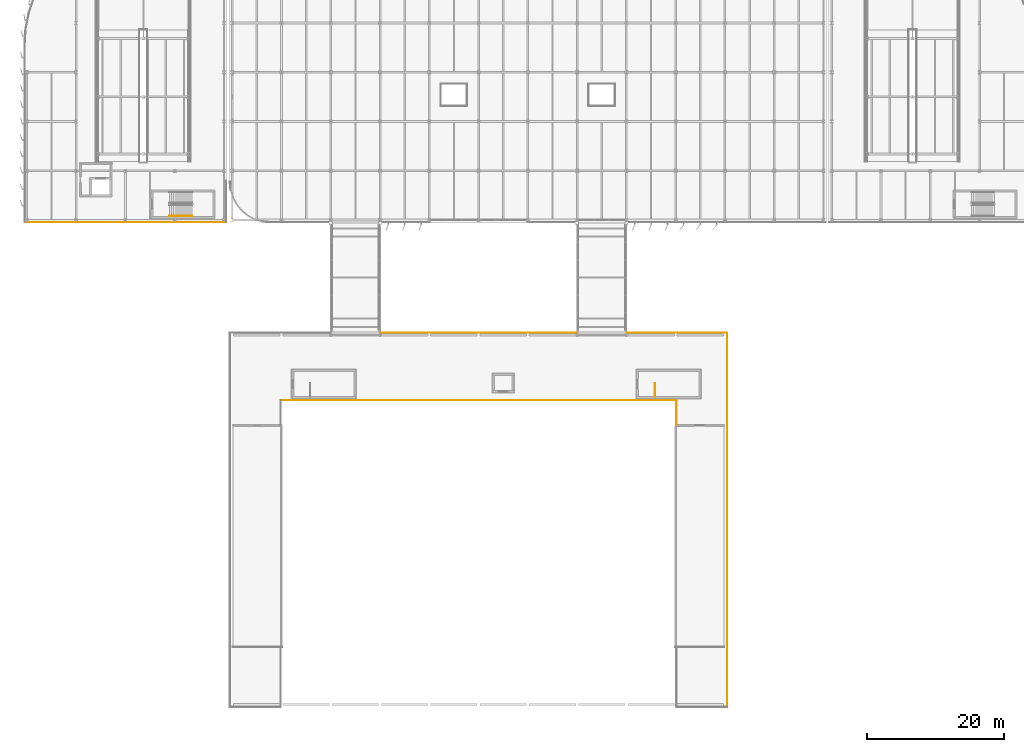
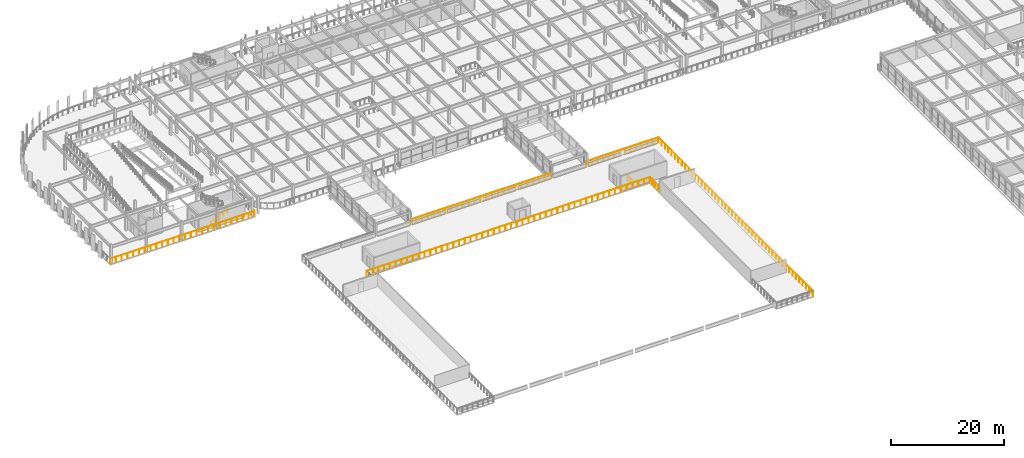
# One storey, part 77 of 93: 8 railings.
"""IFC4 building model written with IfcOpenShell, lengths in metres."""

from ifc_helpers import new_model, si_unit, direction, frame, origin, origin_2d, place, context, subcontext, project, spatial, circle, extrude, material, layer, layer_set, type_object, element, save


model = new_model("IFC4")

# Units and contexts
model_context = context("Model", 3, precision=1e-05, world=origin(), true_north=direction((0.0, 1.0)))
body_context = subcontext(model_context, "Body", "Model", "MODEL_VIEW")
ifc_project = project(units=[si_unit("LENGTHUNIT", "METRE"), si_unit("AREAUNIT", "SQUARE_METRE"), si_unit("VOLUMEUNIT", "CUBIC_METRE"), si_unit("PLANEANGLEUNIT", "RADIAN"), si_unit("MASSUNIT", "GRAM", prefix="KILO")], contexts=[model_context])

# Site, building, storey
site_placement = place(None, origin())
site = spatial("IfcSite", under=ifc_project, at=site_placement, CompositionType="ELEMENT")
building_placement = place(site_placement, origin())
building = spatial("IfcBuilding", under=site, at=building_placement, Name="Vaelcorin Mobility Hub", CompositionType="ELEMENT")
storey_placement = place(building_placement, frame((0.0, 0.0, 5.39990234375)))
storey = spatial("IfcBuildingStorey", under=building, at=storey_placement, Name="L01", CompositionType="ELEMENT", Elevation=5.39990234375)

# Railings
ifc_material_1 = material(Name="Galvanised structural steel ASTM A36", Category="steel")
ifc_layer_1 = layer(ifc_material_1, 0.070068359375)
ifc_layer_set_1 = layer_set([ifc_layer_1], Name="Galvanised structural steel ASTM A36")
railing_type_1 = type_object("IfcRailingType", Name="RL-GUARD-1100", PredefinedType="BALUSTRADE", material=ifc_layer_set_1)
railing_1_placement = place(storey_placement, frame((35.1298828125, 76.469970703125, 0.0)))
element("IfcRailing", 1, at=railing_1_placement, inside=storey, type_object=railing_type_1, Name="L01 Perimeter Guard GR-V2W-L01-02", PredefinedType="BALUSTRADE", context=body_context, shape_type="SweptSolid", body=[
    extrude(circle(Radius=0.02392578125, at=origin_2d()), frame((0.0, 0.0, 1.076171875), z_axis=(-1.0, 0.0, 0.0), x_axis=(0.0, -1.0, 0.0)), (0.0, 0.0, 1.0), 29.4599609375),
    extrude(circle(Radius=0.02099609375, at=origin_2d()), origin(), (0.0, 0.0, 1.0), 1.052001953125),
    extrude(circle(Radius=0.02099609375, at=origin_2d()), frame((-1.178466796875, 0.0, 0.0)), (0.0, 0.0, 1.0), 1.052001953125),
    extrude(circle(Radius=0.02099609375, at=origin_2d()), frame((-2.356689453125, 0.0, 0.0)), (0.0, 0.0, 1.0), 1.052001953125),
    extrude(circle(Radius=0.02099609375, at=origin_2d()), frame((-3.53515625, 0.0, 0.0)), (0.0, 0.0, 1.0), 1.052001953125),
    extrude(circle(Radius=0.02099609375, at=origin_2d()), frame((-4.713623046875, 0.0, 0.0)), (0.0, 0.0, 1.0), 1.052001953125),
    extrude(circle(Radius=0.02099609375, at=origin_2d()), frame((-5.89208984375, 0.0, 0.0)), (0.0, 0.0, 1.0), 1.052001953125),
    extrude(circle(Radius=0.02099609375, at=origin_2d()), frame((-7.0703125, 0.0, 0.0)), (0.0, 0.0, 1.0), 1.052001953125),
    extrude(circle(Radius=0.02099609375, at=origin_2d()), frame((-8.248779296875, 0.0, 0.0)), (0.0, 0.0, 1.0), 1.052001953125),
    extrude(circle(Radius=0.02099609375, at=origin_2d()), frame((-9.42724609375, 0.0, 0.0)), (0.0, 0.0, 1.0), 1.052001953125),
    extrude(circle(Radius=0.02099609375, at=origin_2d()), frame((-10.60546875, 0.0, 0.0)), (0.0, 0.0, 1.0), 1.052001953125),
    extrude(circle(Radius=0.02099609375, at=origin_2d()), frame((-11.783935546875, 0.0, 0.0)), (0.0, 0.0, 1.0), 1.052001953125),
    extrude(circle(Radius=0.02099609375, at=origin_2d()), frame((-12.96240234375, 0.0, 0.0)), (0.0, 0.0, 1.0), 1.052001953125),
    extrude(circle(Radius=0.02099609375, at=origin_2d()), frame((-14.140869140625, 0.0, 0.0)), (0.0, 0.0, 1.0), 1.052001953125),
    extrude(circle(Radius=0.02099609375, at=origin_2d()), frame((-15.319091796875, 0.0, 0.0)), (0.0, 0.0, 1.0), 1.052001953125),
    extrude(circle(Radius=0.02099609375, at=origin_2d()), frame((-16.49755859375, 0.0, 0.0)), (0.0, 0.0, 1.0), 1.052001953125),
    extrude(circle(Radius=0.02099609375, at=origin_2d()), frame((-17.676025390625, 0.0, 0.0)), (0.0, 0.0, 1.0), 1.052001953125),
    extrude(circle(Radius=0.02099609375, at=origin_2d()), frame((-18.8544921875, 0.0, 0.0)), (0.0, 0.0, 1.0), 1.052001953125),
    extrude(circle(Radius=0.02099609375, at=origin_2d()), frame((-20.03271484375, 0.0, 0.0)), (0.0, 0.0, 1.0), 1.052001953125),
    extrude(circle(Radius=0.02099609375, at=origin_2d()), frame((-21.211181640625, 0.0, 0.0)), (0.0, 0.0, 1.0), 1.052001953125),
    extrude(circle(Radius=0.02099609375, at=origin_2d()), frame((-22.3896484375, 0.0, 0.0)), (0.0, 0.0, 1.0), 1.052001953125),
    extrude(circle(Radius=0.02099609375, at=origin_2d()), frame((-23.56787109375, 0.0, 0.0)), (0.0, 0.0, 1.0), 1.052001953125),
    extrude(circle(Radius=0.02099609375, at=origin_2d()), frame((-24.746337890625, 0.0, 0.0)), (0.0, 0.0, 1.0), 1.052001953125),
    extrude(circle(Radius=0.02099609375, at=origin_2d()), frame((-25.9248046875, 0.0, 0.0)), (0.0, 0.0, 1.0), 1.052001953125),
    extrude(circle(Radius=0.02099609375, at=origin_2d()), frame((-27.103271484375, 0.0, 0.0)), (0.0, 0.0, 1.0), 1.052001953125),
    extrude(circle(Radius=0.02099609375, at=origin_2d()), frame((-28.281494140625, 0.0, 0.0)), (0.0, 0.0, 1.0), 1.052001953125),
    extrude(circle(Radius=0.02099609375, at=origin_2d()), frame((-29.4599609375, 0.0, 0.0)), (0.0, 0.0, 1.0), 1.052001953125),
])
ifc_material_2 = material(Name="Anodised aluminium 6063-T6", Category="aluminium")
ifc_layer_2 = layer(ifc_material_2, 0.070068359375)
ifc_layer_set_2 = layer_set([ifc_layer_2], Name="Anodised aluminium 6063-T6")
railing_type_2 = type_object("IfcRailingType", Name="RL-GUARD-1150", PredefinedType="BALUSTRADE", material=ifc_layer_set_2)
railing_2_placement = place(storey_placement, frame((57.64990234375, 60.330078125, 0.0)))
element("IfcRailing", 2, at=railing_2_placement, inside=storey, type_object=railing_type_2, Name="L01 Perimeter Guard GR-V1-L01-OUT-M-01", PredefinedType="BALUSTRADE", context=body_context, shape_type="SweptSolid", body=[
    extrude(circle(Radius=0.02392578125, at=origin_2d()), frame((0.0, 0.0, 1.1259765625), z_axis=(1.0, 0.0, 0.0), x_axis=(0.0, 1.0, 0.0)), (0.0, 0.0, 1.0), 28.7001953125),
    extrude(circle(Radius=0.02099609375, at=origin_2d()), origin(), (0.0, 0.0, 1.0), 1.101806640625),
    extrude(circle(Radius=0.02099609375, at=origin_2d()), frame((1.19580078125, 0.0, 0.0)), (0.0, 0.0, 1.0), 1.101806640625),
    extrude(circle(Radius=0.02099609375, at=origin_2d()), frame((2.3916015625, 0.0, 0.0)), (0.0, 0.0, 1.0), 1.101806640625),
    extrude(circle(Radius=0.02099609375, at=origin_2d()), frame((3.58740234375, 0.0, 0.0)), (0.0, 0.0, 1.0), 1.101806640625),
    extrude(circle(Radius=0.02099609375, at=origin_2d()), frame((4.783447265625, 0.0, 0.0)), (0.0, 0.0, 1.0), 1.101806640625),
    extrude(circle(Radius=0.02099609375, at=origin_2d()), frame((5.979248046875, 0.0, 0.0)), (0.0, 0.0, 1.0), 1.101806640625),
    extrude(circle(Radius=0.02099609375, at=origin_2d()), frame((7.175048828125, 0.0, 0.0)), (0.0, 0.0, 1.0), 1.101806640625),
    extrude(circle(Radius=0.02099609375, at=origin_2d()), frame((8.370849609375, 0.0, 0.0)), (0.0, 0.0, 1.0), 1.101806640625),
    extrude(circle(Radius=0.02099609375, at=origin_2d()), frame((9.566650390625, 0.0, 0.0)), (0.0, 0.0, 1.0), 1.101806640625),
    extrude(circle(Radius=0.02099609375, at=origin_2d()), frame((10.7626953125, 0.0, 0.0)), (0.0, 0.0, 1.0), 1.101806640625),
    extrude(circle(Radius=0.02099609375, at=origin_2d()), frame((11.95849609375, 0.0, 0.0)), (0.0, 0.0, 1.0), 1.101806640625),
    extrude(circle(Radius=0.02099609375, at=origin_2d()), frame((13.154296875, 0.0, 0.0)), (0.0, 0.0, 1.0), 1.101806640625),
    extrude(circle(Radius=0.02099609375, at=origin_2d()), frame((14.35009765625, 0.0, 0.0)), (0.0, 0.0, 1.0), 1.101806640625),
    extrude(circle(Radius=0.02099609375, at=origin_2d()), frame((15.5458984375, 0.0, 0.0)), (0.0, 0.0, 1.0), 1.101806640625),
    extrude(circle(Radius=0.02099609375, at=origin_2d()), frame((16.74169921875, 0.0, 0.0)), (0.0, 0.0, 1.0), 1.101806640625),
    extrude(circle(Radius=0.02099609375, at=origin_2d()), frame((17.9375, 0.0, 0.0)), (0.0, 0.0, 1.0), 1.101806640625),
    extrude(circle(Radius=0.02099609375, at=origin_2d()), frame((19.133544921875, 0.0, 0.0)), (0.0, 0.0, 1.0), 1.101806640625),
    extrude(circle(Radius=0.02099609375, at=origin_2d()), frame((20.329345703125, 0.0, 0.0)), (0.0, 0.0, 1.0), 1.101806640625),
    extrude(circle(Radius=0.02099609375, at=origin_2d()), frame((21.525146484375, 0.0, 0.0)), (0.0, 0.0, 1.0), 1.101806640625),
    extrude(circle(Radius=0.02099609375, at=origin_2d()), frame((22.720947265625, 0.0, 0.0)), (0.0, 0.0, 1.0), 1.101806640625),
    extrude(circle(Radius=0.02099609375, at=origin_2d()), frame((23.916748046875, 0.0, 0.0)), (0.0, 0.0, 1.0), 1.101806640625),
    extrude(circle(Radius=0.02099609375, at=origin_2d()), frame((25.11279296875, 0.0, 0.0)), (0.0, 0.0, 1.0), 1.101806640625),
    extrude(circle(Radius=0.02099609375, at=origin_2d()), frame((26.30859375, 0.0, 0.0)), (0.0, 0.0, 1.0), 1.101806640625),
    extrude(circle(Radius=0.02099609375, at=origin_2d()), frame((27.50439453125, 0.0, 0.0)), (0.0, 0.0, 1.0), 1.101806640625),
    extrude(circle(Radius=0.02099609375, at=origin_2d()), frame((28.7001953125, 0.0, 0.0)), (0.0, 0.0, 1.0), 1.101806640625),
])
railing_3_placement = place(storey_placement, frame((93.64990234375, 60.330078125, 0.0)))
element("IfcRailing", 3, at=railing_3_placement, inside=storey, type_object=railing_type_2, Name="L01 Perimeter Guard GR-V1-L01-OUT-E-01", PredefinedType="BALUSTRADE", context=body_context, shape_type="SweptSolid", body=[
    extrude(circle(Radius=0.02392578125, at=origin_2d()), frame((0.0, 0.0, 1.1259765625), z_axis=(1.0, 0.0, 0.0), x_axis=(0.0, 1.0, 0.0)), (0.0, 0.0, 1.0), 14.68017578125),
    extrude(circle(Radius=0.02099609375, at=origin_2d()), origin(), (0.0, 0.0, 1.0), 1.101806640625),
    extrude(circle(Radius=0.02099609375, at=origin_2d()), frame((1.129150390625, 0.0, 0.0)), (0.0, 0.0, 1.0), 1.101806640625),
    extrude(circle(Radius=0.02099609375, at=origin_2d()), frame((2.258544921875, 0.0, 0.0)), (0.0, 0.0, 1.0), 1.101806640625),
    extrude(circle(Radius=0.02099609375, at=origin_2d()), frame((3.3876953125, 0.0, 0.0)), (0.0, 0.0, 1.0), 1.101806640625),
    extrude(circle(Radius=0.02099609375, at=origin_2d()), frame((4.51708984375, 0.0, 0.0)), (0.0, 0.0, 1.0), 1.101806640625),
    extrude(circle(Radius=0.02099609375, at=origin_2d()), frame((5.646240234375, 0.0, 0.0)), (0.0, 0.0, 1.0), 1.101806640625),
    extrude(circle(Radius=0.02099609375, at=origin_2d()), frame((6.775390625, 0.0, 0.0)), (0.0, 0.0, 1.0), 1.101806640625),
    extrude(circle(Radius=0.02099609375, at=origin_2d()), frame((7.90478515625, 0.0, 0.0)), (0.0, 0.0, 1.0), 1.101806640625),
    extrude(circle(Radius=0.02099609375, at=origin_2d()), frame((9.033935546875, 0.0, 0.0)), (0.0, 0.0, 1.0), 1.101806640625),
    extrude(circle(Radius=0.02099609375, at=origin_2d()), frame((10.1630859375, 0.0, 0.0)), (0.0, 0.0, 1.0), 1.101806640625),
    extrude(circle(Radius=0.02099609375, at=origin_2d()), frame((11.29248046875, 0.0, 0.0)), (0.0, 0.0, 1.0), 1.101806640625),
    extrude(circle(Radius=0.02099609375, at=origin_2d()), frame((12.421630859375, 0.0, 0.0)), (0.0, 0.0, 1.0), 1.101806640625),
    extrude(circle(Radius=0.02099609375, at=origin_2d()), frame((13.551025390625, 0.0, 0.0)), (0.0, 0.0, 1.0), 1.101806640625),
    extrude(circle(Radius=0.02099609375, at=origin_2d()), frame((14.68017578125, 0.0, 0.0)), (0.0, 0.0, 1.0), 1.101806640625),
])
railing_4_placement = place(storey_placement, frame((108.330078125, 60.330078125, 0.0)))
element("IfcRailing", 4, at=railing_4_placement, inside=storey, type_object=railing_type_2, Name="L01 Perimeter Guard GR-V1-L01-OUT-E-02", PredefinedType="BALUSTRADE", context=body_context, shape_type="SweptSolid", body=[
    extrude(circle(Radius=0.02392578125, at=origin_2d()), frame((0.0, 0.0, 1.1259765625), z_axis=(0.0, -1.0, 0.0), x_axis=(1.0, 0.0, 0.0)), (0.0, 0.0, 1.0), 54.66015625),
    extrude(circle(Radius=0.02099609375, at=origin_2d()), origin(), (0.0, 0.0, 1.0), 1.101806640625),
    extrude(circle(Radius=0.02099609375, at=origin_2d()), frame((0.0, -1.188232421875, 0.0)), (0.0, 0.0, 1.0), 1.101806640625),
    extrude(circle(Radius=0.02099609375, at=origin_2d()), frame((0.0, -2.37646484375, 0.0)), (0.0, 0.0, 1.0), 1.101806640625),
    extrude(circle(Radius=0.02099609375, at=origin_2d()), frame((0.0, -3.564697265625, 0.0)), (0.0, 0.0, 1.0), 1.101806640625),
    extrude(circle(Radius=0.02099609375, at=origin_2d()), frame((0.0, -4.753173828125, 0.0)), (0.0, 0.0, 1.0), 1.101806640625),
    extrude(circle(Radius=0.02099609375, at=origin_2d()), frame((0.0, -5.94140625, 0.0)), (0.0, 0.0, 1.0), 1.101806640625),
    extrude(circle(Radius=0.02099609375, at=origin_2d()), frame((0.0, -7.129638671875, 0.0)), (0.0, 0.0, 1.0), 1.101806640625),
    extrude(circle(Radius=0.02099609375, at=origin_2d()), frame((0.0, -8.31787109375, 0.0)), (0.0, 0.0, 1.0), 1.101806640625),
    extrude(circle(Radius=0.02099609375, at=origin_2d()), frame((0.0, -9.506103515625, 0.0)), (0.0, 0.0, 1.0), 1.101806640625),
    extrude(circle(Radius=0.02099609375, at=origin_2d()), frame((0.0, -10.6943359375, 0.0)), (0.0, 0.0, 1.0), 1.101806640625),
    extrude(circle(Radius=0.02099609375, at=origin_2d()), frame((0.0, -11.882568359375, 0.0)), (0.0, 0.0, 1.0), 1.101806640625),
    extrude(circle(Radius=0.02099609375, at=origin_2d()), frame((0.0, -13.07080078125, 0.0)), (0.0, 0.0, 1.0), 1.101806640625),
    extrude(circle(Radius=0.02099609375, at=origin_2d()), frame((0.0, -14.25927734375, 0.0)), (0.0, 0.0, 1.0), 1.101806640625),
    extrude(circle(Radius=0.02099609375, at=origin_2d()), frame((0.0, -15.447509765625, 0.0)), (0.0, 0.0, 1.0), 1.101806640625),
    extrude(circle(Radius=0.02099609375, at=origin_2d()), frame((0.0, -16.6357421875, 0.0)), (0.0, 0.0, 1.0), 1.101806640625),
    extrude(circle(Radius=0.02099609375, at=origin_2d()), frame((0.0, -17.823974609375, 0.0)), (0.0, 0.0, 1.0), 1.101806640625),
    extrude(circle(Radius=0.02099609375, at=origin_2d()), frame((0.0, -19.01220703125, 0.0)), (0.0, 0.0, 1.0), 1.101806640625),
    extrude(circle(Radius=0.02099609375, at=origin_2d()), frame((0.0, -20.200439453125, 0.0)), (0.0, 0.0, 1.0), 1.101806640625),
    extrude(circle(Radius=0.02099609375, at=origin_2d()), frame((0.0, -21.388671875, 0.0)), (0.0, 0.0, 1.0), 1.101806640625),
    extrude(circle(Radius=0.02099609375, at=origin_2d()), frame((0.0, -22.576904296875, 0.0)), (0.0, 0.0, 1.0), 1.101806640625),
    extrude(circle(Radius=0.02099609375, at=origin_2d()), frame((0.0, -23.765380859375, 0.0)), (0.0, 0.0, 1.0), 1.101806640625),
    extrude(circle(Radius=0.02099609375, at=origin_2d()), frame((0.0, -24.95361328125, 0.0)), (0.0, 0.0, 1.0), 1.101806640625),
    extrude(circle(Radius=0.02099609375, at=origin_2d()), frame((0.0, -26.141845703125, 0.0)), (0.0, 0.0, 1.0), 1.101806640625),
    extrude(circle(Radius=0.02099609375, at=origin_2d()), frame((0.0, -27.330078125, 0.0)), (0.0, 0.0, 1.0), 1.101806640625),
    extrude(circle(Radius=0.02099609375, at=origin_2d()), frame((0.0, -28.518310546875, 0.0)), (0.0, 0.0, 1.0), 1.101806640625),
    extrude(circle(Radius=0.02099609375, at=origin_2d()), frame((0.0, -29.70654296875, 0.0)), (0.0, 0.0, 1.0), 1.101806640625),
    extrude(circle(Radius=0.02099609375, at=origin_2d()), frame((0.0, -30.894775390625, 0.0)), (0.0, 0.0, 1.0), 1.101806640625),
    extrude(circle(Radius=0.02099609375, at=origin_2d()), frame((0.0, -32.083251953125, 0.0)), (0.0, 0.0, 1.0), 1.101806640625),
    extrude(circle(Radius=0.02099609375, at=origin_2d()), frame((0.0, -33.271484375, 0.0)), (0.0, 0.0, 1.0), 1.101806640625),
    extrude(circle(Radius=0.02099609375, at=origin_2d()), frame((0.0, -34.459716796875, 0.0)), (0.0, 0.0, 1.0), 1.101806640625),
    extrude(circle(Radius=0.02099609375, at=origin_2d()), frame((0.0, -35.64794921875, 0.0)), (0.0, 0.0, 1.0), 1.101806640625),
    extrude(circle(Radius=0.02099609375, at=origin_2d()), frame((0.0, -36.836181640625, 0.0)), (0.0, 0.0, 1.0), 1.101806640625),
    extrude(circle(Radius=0.02099609375, at=origin_2d()), frame((0.0, -38.0244140625, 0.0)), (0.0, 0.0, 1.0), 1.101806640625),
    extrude(circle(Radius=0.02099609375, at=origin_2d()), frame((0.0, -39.212646484375, 0.0)), (0.0, 0.0, 1.0), 1.101806640625),
    extrude(circle(Radius=0.02099609375, at=origin_2d()), frame((0.0, -40.40087890625, 0.0)), (0.0, 0.0, 1.0), 1.101806640625),
    extrude(circle(Radius=0.02099609375, at=origin_2d()), frame((0.0, -41.58935546875, 0.0)), (0.0, 0.0, 1.0), 1.101806640625),
    extrude(circle(Radius=0.02099609375, at=origin_2d()), frame((0.0, -42.777587890625, 0.0)), (0.0, 0.0, 1.0), 1.101806640625),
    extrude(circle(Radius=0.02099609375, at=origin_2d()), frame((0.0, -43.9658203125, 0.0)), (0.0, 0.0, 1.0), 1.101806640625),
    extrude(circle(Radius=0.02099609375, at=origin_2d()), frame((0.0, -45.154052734375, 0.0)), (0.0, 0.0, 1.0), 1.101806640625),
    extrude(circle(Radius=0.02099609375, at=origin_2d()), frame((0.0, -46.34228515625, 0.0)), (0.0, 0.0, 1.0), 1.101806640625),
    extrude(circle(Radius=0.02099609375, at=origin_2d()), frame((0.0, -47.530517578125, 0.0)), (0.0, 0.0, 1.0), 1.101806640625),
    extrude(circle(Radius=0.02099609375, at=origin_2d()), frame((0.0, -48.71875, 0.0)), (0.0, 0.0, 1.0), 1.101806640625),
    extrude(circle(Radius=0.02099609375, at=origin_2d()), frame((0.0, -49.906982421875, 0.0)), (0.0, 0.0, 1.0), 1.101806640625),
    extrude(circle(Radius=0.02099609375, at=origin_2d()), frame((0.0, -51.095458984375, 0.0)), (0.0, 0.0, 1.0), 1.101806640625),
    extrude(circle(Radius=0.02099609375, at=origin_2d()), frame((0.0, -52.28369140625, 0.0)), (0.0, 0.0, 1.0), 1.101806640625),
    extrude(circle(Radius=0.02099609375, at=origin_2d()), frame((0.0, -53.471923828125, 0.0)), (0.0, 0.0, 1.0), 1.101806640625),
    extrude(circle(Radius=0.02099609375, at=origin_2d()), frame((0.0, -54.66015625, 0.0)), (0.0, 0.0, 1.0), 1.101806640625),
])
railing_5_placement = place(storey_placement, frame((43.080078125, 50.47998046875, 0.0)))
element("IfcRailing", 5, at=railing_5_placement, inside=storey, type_object=railing_type_2, Name="L01 Perimeter Guard GR-V1-L01-ATR-N-02", PredefinedType="BALUSTRADE", context=body_context, shape_type="SweptSolid", body=[
    extrude(circle(Radius=0.02392578125, at=origin_2d()), frame((0.0, 0.0, 1.1259765625), z_axis=(1.0, 0.0, 0.0), x_axis=(0.0, 1.0, 0.0)), (0.0, 0.0, 1.0), 57.83984375),
    extrude(circle(Radius=0.02099609375, at=origin_2d()), origin(), (0.0, 0.0, 1.0), 1.101806640625),
    extrude(circle(Radius=0.02099609375, at=origin_2d()), frame((1.180419921875, 0.0, 0.0)), (0.0, 0.0, 1.0), 1.101806640625),
    extrude(circle(Radius=0.02099609375, at=origin_2d()), frame((2.36083984375, 0.0, 0.0)), (0.0, 0.0, 1.0), 1.101806640625),
    extrude(circle(Radius=0.02099609375, at=origin_2d()), frame((3.541259765625, 0.0, 0.0)), (0.0, 0.0, 1.0), 1.101806640625),
    extrude(circle(Radius=0.02099609375, at=origin_2d()), frame((4.7216796875, 0.0, 0.0)), (0.0, 0.0, 1.0), 1.101806640625),
    extrude(circle(Radius=0.02099609375, at=origin_2d()), frame((5.902099609375, 0.0, 0.0)), (0.0, 0.0, 1.0), 1.101806640625),
    extrude(circle(Radius=0.02099609375, at=origin_2d()), frame((7.08251953125, 0.0, 0.0)), (0.0, 0.0, 1.0), 1.101806640625),
    extrude(circle(Radius=0.02099609375, at=origin_2d()), frame((8.262939453125, 0.0, 0.0)), (0.0, 0.0, 1.0), 1.101806640625),
    extrude(circle(Radius=0.02099609375, at=origin_2d()), frame((9.443359375, 0.0, 0.0)), (0.0, 0.0, 1.0), 1.101806640625),
    extrude(circle(Radius=0.02099609375, at=origin_2d()), frame((10.62353515625, 0.0, 0.0)), (0.0, 0.0, 1.0), 1.101806640625),
    extrude(circle(Radius=0.02099609375, at=origin_2d()), frame((11.803955078125, 0.0, 0.0)), (0.0, 0.0, 1.0), 1.101806640625),
    extrude(circle(Radius=0.02099609375, at=origin_2d()), frame((12.984375, 0.0, 0.0)), (0.0, 0.0, 1.0), 1.101806640625),
    extrude(circle(Radius=0.02099609375, at=origin_2d()), frame((14.164794921875, 0.0, 0.0)), (0.0, 0.0, 1.0), 1.101806640625),
    extrude(circle(Radius=0.02099609375, at=origin_2d()), frame((15.34521484375, 0.0, 0.0)), (0.0, 0.0, 1.0), 1.101806640625),
    extrude(circle(Radius=0.02099609375, at=origin_2d()), frame((16.525634765625, 0.0, 0.0)), (0.0, 0.0, 1.0), 1.101806640625),
    extrude(circle(Radius=0.02099609375, at=origin_2d()), frame((17.7060546875, 0.0, 0.0)), (0.0, 0.0, 1.0), 1.101806640625),
    extrude(circle(Radius=0.02099609375, at=origin_2d()), frame((18.886474609375, 0.0, 0.0)), (0.0, 0.0, 1.0), 1.101806640625),
    extrude(circle(Radius=0.02099609375, at=origin_2d()), frame((20.06689453125, 0.0, 0.0)), (0.0, 0.0, 1.0), 1.101806640625),
    extrude(circle(Radius=0.02099609375, at=origin_2d()), frame((21.247314453125, 0.0, 0.0)), (0.0, 0.0, 1.0), 1.101806640625),
    extrude(circle(Radius=0.02099609375, at=origin_2d()), frame((22.427734375, 0.0, 0.0)), (0.0, 0.0, 1.0), 1.101806640625),
    extrude(circle(Radius=0.02099609375, at=origin_2d()), frame((23.608154296875, 0.0, 0.0)), (0.0, 0.0, 1.0), 1.101806640625),
    extrude(circle(Radius=0.02099609375, at=origin_2d()), frame((24.78857421875, 0.0, 0.0)), (0.0, 0.0, 1.0), 1.101806640625),
    extrude(circle(Radius=0.02099609375, at=origin_2d()), frame((25.968994140625, 0.0, 0.0)), (0.0, 0.0, 1.0), 1.101806640625),
    extrude(circle(Radius=0.02099609375, at=origin_2d()), frame((27.1494140625, 0.0, 0.0)), (0.0, 0.0, 1.0), 1.101806640625),
    extrude(circle(Radius=0.02099609375, at=origin_2d()), frame((28.329833984375, 0.0, 0.0)), (0.0, 0.0, 1.0), 1.101806640625),
    extrude(circle(Radius=0.02099609375, at=origin_2d()), frame((29.510009765625, 0.0, 0.0)), (0.0, 0.0, 1.0), 1.101806640625),
    extrude(circle(Radius=0.02099609375, at=origin_2d()), frame((30.6904296875, 0.0, 0.0)), (0.0, 0.0, 1.0), 1.101806640625),
    extrude(circle(Radius=0.02099609375, at=origin_2d()), frame((31.870849609375, 0.0, 0.0)), (0.0, 0.0, 1.0), 1.101806640625),
    extrude(circle(Radius=0.02099609375, at=origin_2d()), frame((33.05126953125, 0.0, 0.0)), (0.0, 0.0, 1.0), 1.101806640625),
    extrude(circle(Radius=0.02099609375, at=origin_2d()), frame((34.231689453125, 0.0, 0.0)), (0.0, 0.0, 1.0), 1.101806640625),
    extrude(circle(Radius=0.02099609375, at=origin_2d()), frame((35.412109375, 0.0, 0.0)), (0.0, 0.0, 1.0), 1.101806640625),
    extrude(circle(Radius=0.02099609375, at=origin_2d()), frame((36.592529296875, 0.0, 0.0)), (0.0, 0.0, 1.0), 1.101806640625),
    extrude(circle(Radius=0.02099609375, at=origin_2d()), frame((37.77294921875, 0.0, 0.0)), (0.0, 0.0, 1.0), 1.101806640625),
    extrude(circle(Radius=0.02099609375, at=origin_2d()), frame((38.953369140625, 0.0, 0.0)), (0.0, 0.0, 1.0), 1.101806640625),
    extrude(circle(Radius=0.02099609375, at=origin_2d()), frame((40.1337890625, 0.0, 0.0)), (0.0, 0.0, 1.0), 1.101806640625),
    extrude(circle(Radius=0.02099609375, at=origin_2d()), frame((41.314208984375, 0.0, 0.0)), (0.0, 0.0, 1.0), 1.101806640625),
    extrude(circle(Radius=0.02099609375, at=origin_2d()), frame((42.49462890625, 0.0, 0.0)), (0.0, 0.0, 1.0), 1.101806640625),
    extrude(circle(Radius=0.02099609375, at=origin_2d()), frame((43.675048828125, 0.0, 0.0)), (0.0, 0.0, 1.0), 1.101806640625),
    extrude(circle(Radius=0.02099609375, at=origin_2d()), frame((44.85546875, 0.0, 0.0)), (0.0, 0.0, 1.0), 1.101806640625),
    extrude(circle(Radius=0.02099609375, at=origin_2d()), frame((46.035888671875, 0.0, 0.0)), (0.0, 0.0, 1.0), 1.101806640625),
    extrude(circle(Radius=0.02099609375, at=origin_2d()), frame((47.21630859375, 0.0, 0.0)), (0.0, 0.0, 1.0), 1.101806640625),
    extrude(circle(Radius=0.02099609375, at=origin_2d()), frame((48.396484375, 0.0, 0.0)), (0.0, 0.0, 1.0), 1.101806640625),
    extrude(circle(Radius=0.02099609375, at=origin_2d()), frame((49.576904296875, 0.0, 0.0)), (0.0, 0.0, 1.0), 1.101806640625),
    extrude(circle(Radius=0.02099609375, at=origin_2d()), frame((50.75732421875, 0.0, 0.0)), (0.0, 0.0, 1.0), 1.101806640625),
    extrude(circle(Radius=0.02099609375, at=origin_2d()), frame((51.937744140625, 0.0, 0.0)), (0.0, 0.0, 1.0), 1.101806640625),
    extrude(circle(Radius=0.02099609375, at=origin_2d()), frame((53.1181640625, 0.0, 0.0)), (0.0, 0.0, 1.0), 1.101806640625),
    extrude(circle(Radius=0.02099609375, at=origin_2d()), frame((54.298583984375, 0.0, 0.0)), (0.0, 0.0, 1.0), 1.101806640625),
    extrude(circle(Radius=0.02099609375, at=origin_2d()), frame((55.47900390625, 0.0, 0.0)), (0.0, 0.0, 1.0), 1.101806640625),
    extrude(circle(Radius=0.02099609375, at=origin_2d()), frame((56.659423828125, 0.0, 0.0)), (0.0, 0.0, 1.0), 1.101806640625),
    extrude(circle(Radius=0.02099609375, at=origin_2d()), frame((57.83984375, 0.0, 0.0)), (0.0, 0.0, 1.0), 1.101806640625),
])
railing_6_placement = place(storey_placement, frame((100.919921875, 50.47998046875, 0.0)))
element("IfcRailing", 6, at=railing_6_placement, inside=storey, type_object=railing_type_2, Name="L01 Perimeter Guard GR-V1-L01-ATR-N-03", PredefinedType="BALUSTRADE", context=body_context, shape_type="SweptSolid", body=[
    extrude(circle(Radius=0.02392578125, at=origin_2d()), frame((0.0, 0.0, 1.1259765625), z_axis=(0.0, -1.0, 0.0), x_axis=(1.0, 0.0, 0.0)), (0.0, 0.0, 1.0), 3.60009765625),
    extrude(circle(Radius=0.02099609375, at=origin_2d()), origin(), (0.0, 0.0, 1.0), 1.101806640625),
    extrude(circle(Radius=0.02099609375, at=origin_2d()), frame((0.0, -0.89990234375, 0.0)), (0.0, 0.0, 1.0), 1.101806640625),
    extrude(circle(Radius=0.02099609375, at=origin_2d()), frame((0.0, -1.800048828125, 0.0)), (0.0, 0.0, 1.0), 1.101806640625),
    extrude(circle(Radius=0.02099609375, at=origin_2d()), frame((0.0, -2.7001953125, 0.0)), (0.0, 0.0, 1.0), 1.101806640625),
    extrude(circle(Radius=0.02099609375, at=origin_2d()), frame((0.0, -3.60009765625, 0.0)), (0.0, 0.0, 1.0), 1.101806640625),
])
ifc_material_3 = material(Name="Brushed stainless steel 316L", Category="steel")
ifc_layer_3 = layer(ifc_material_3, 0.048095703125)
ifc_layer_set_3 = layer_set([ifc_layer_3], Name="Brushed stainless steel 316L")
railing_type_3 = type_object("IfcRailingType", Name="RL-STAIR-GRD", PredefinedType="GUARDRAIL", material=ifc_layer_set_3)
railing_7_placement = place(storey_placement, frame((97.800048828125, 51.0, 0.0)))
element("IfcRailing", 7, at=railing_7_placement, inside=storey, type_object=railing_type_3, Name="L01 ST8 top well guard 1", PredefinedType="GUARDRAIL", context=body_context, shape_type="SweptSolid", body=[
    extrude(circle(Radius=0.02392578125, at=origin_2d()), frame((0.0, 0.0, 1.076171875), z_axis=(0.0, 1.0, 0.0), x_axis=(-1.0, 0.0, 0.0)), (0.0, 0.0, 1.0), 1.919921875),
    extrude(circle(Radius=0.02099609375, at=origin_2d()), origin(), (0.0, 0.0, 1.0), 1.052001953125),
    extrude(circle(Radius=0.02099609375, at=origin_2d()), frame((0.0, 0.9599609375, 0.0)), (0.0, 0.0, 1.0), 1.052001953125),
    extrude(circle(Radius=0.02099609375, at=origin_2d()), frame((0.0, 1.919921875, 0.0)), (0.0, 0.0, 1.0), 1.052001953125),
])
ifc_layer_4 = layer(ifc_material_3, 0.048095703125)
ifc_layer_set_4 = layer_set([ifc_layer_4], Name="Brushed stainless steel 316L")
railing_type_4 = type_object("IfcRailingType", Name="RL-STAIR-HR", PredefinedType="HANDRAIL", material=ifc_layer_set_4)
railing_8_placement = place(storey_placement, frame((26.85009765625, 77.39990234375, 0.16259765625)))
element("IfcRailing", 8, at=railing_8_placement, inside=storey, type_object=railing_type_4, Name="L01 ST1 stair handrail 1", PredefinedType="HANDRAIL", context=body_context, shape_type="SweptSolid", body=[
    extrude(circle(Radius=0.02392578125, at=origin_2d()), frame((0.0, 0.0, 0.8759765625), z_axis=(0.879269262144, 0.0, 0.476325061958), x_axis=(0.0, 1.0, 0.0)), (0.0, 0.0, 1.0), 3.7529296875),
    extrude(circle(Radius=0.02099609375, at=origin_2d()), origin(), (0.0, 0.0, 1.0), 0.851806640625),
    extrude(circle(Radius=0.02099609375, at=origin_2d()), frame((0.824951171875, 0.0, 0.44677734375)), (0.0, 0.0, 1.0), 0.851806640625),
    extrude(circle(Radius=0.02099609375, at=origin_2d()), frame((1.64990234375, 0.0, 0.893798828125)), (0.0, 0.0, 1.0), 0.851806640625),
    extrude(circle(Radius=0.02099609375, at=origin_2d()), frame((2.474853515625, 0.0, 1.3408203125)), (0.0, 0.0, 1.0), 0.851806640625),
    extrude(circle(Radius=0.02099609375, at=origin_2d()), frame((3.2998046875, 0.0, 1.78759765625)), (0.0, 0.0, 1.0), 0.851806640625),
])

save(model, "model.ifc")
